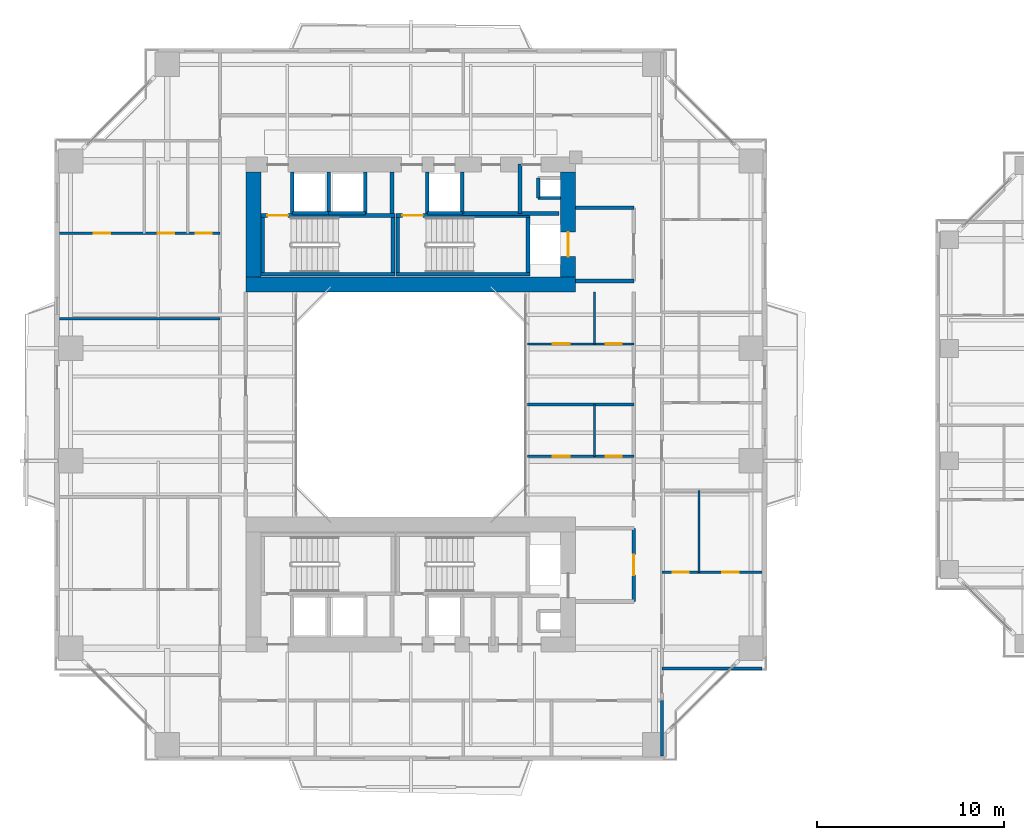
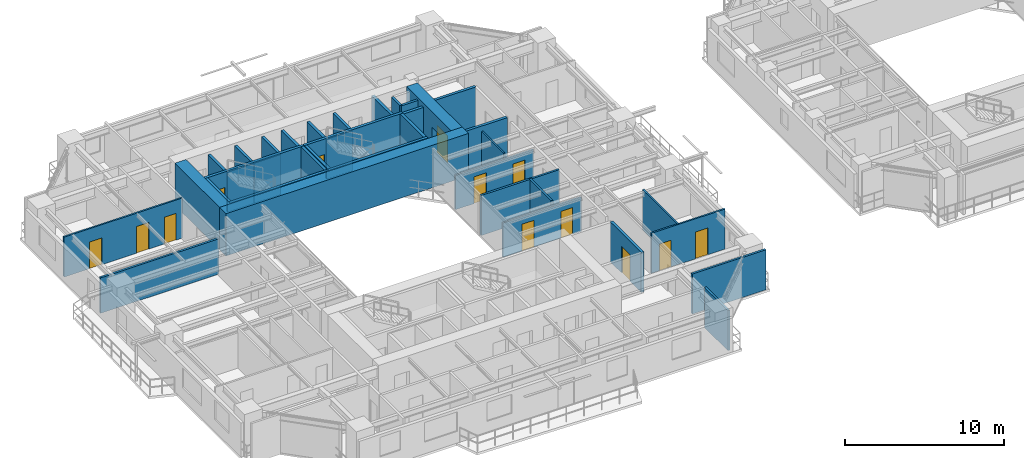
# One storey, part 14 of 24: 38 walls, 13 doors, 13 openings.
"""IFC4 building model written with IfcOpenShell, lengths in metres."""

from ifc_helpers import new_model, si_unit, direction, frame, frame_2d, origin, place, context, subcontext, project, spatial, rectangle, extrude, source, transform, mapped, material, layer, layer_set, type_object, element, fill, save


model = new_model("IFC4")

# Units and contexts
model_context = context("Model", 3, precision=1e-05, world=origin(), true_north=direction((0.0, 1.0)))
body_context = subcontext(model_context, "Body", "Model", "MODEL_VIEW")
ifc_project = project(units=[si_unit("LENGTHUNIT", "METRE"), si_unit("AREAUNIT", "SQUARE_METRE"), si_unit("VOLUMEUNIT", "CUBIC_METRE"), si_unit("PLANEANGLEUNIT", "RADIAN"), si_unit("MASSUNIT", "GRAM", prefix="KILO"), si_unit("THERMODYNAMICTEMPERATUREUNIT", "KELVIN"), si_unit("POWERUNIT", "WATT")], contexts=[model_context])

# Site, building, storey
site_placement = place(None, origin())
site = spatial("IfcSite", under=ifc_project, at=site_placement, CompositionType="ELEMENT")
building_placement = place(site_placement, origin())
building = spatial("IfcBuilding", under=site, at=building_placement, Name="Qiaomeng Ring Towers", CompositionType="ELEMENT")
storey_placement = place(building_placement, frame((0.0, 0.0, 56.75)))
storey = spatial("IfcBuildingStorey", under=building, at=storey_placement, Name="L15", CompositionType="ELEMENT", Elevation=56.75)

# Walls
ifc_material_1 = material(Name="Autoclaved aerated concrete block", Category="concrete")
ifc_layer_1 = layer(ifc_material_1, 0.199951171875, Name="Autoclaved aerated concrete block")
ifc_layer_set_1 = layer_set([ifc_layer_1], Name="Autoclaved aerated concrete block")
wall_type_1 = type_object("IfcWallType", Name="ARC-WL-PW1", PredefinedType="PARTITIONING", material=ifc_layer_set_1)
for number, where, z_axis, x_axis, name in (
    (1, (27.800048828125, 29.60009765625, 0.0), (0.0, 0.0, 1.0), (1.0, 0.0, 0.0), "L15 Interior Wall PW1"),
    (2, (27.800048828125, 33.5, 0.0), (0.0, 0.0, 1.0), (1.0, 0.0, 0.0), "L15 Interior Wall PW1"),
):
    element("IfcWall", number, at=place(storey_placement, frame(where, z_axis=z_axis, x_axis=x_axis)), inside=storey, type_object=wall_type_1, Name=name, PredefinedType="PARTITIONING", context=body_context, shape_type="SweptSolid", body=[
        extrude(rectangle(XDim=3.099853515625, YDim=0.199951171875, at=frame_2d((1.5498046875, 0.0))), origin(), (0.0, 0.0, 1.0), 3.070068359375),
    ])

# Wall, opening, door
wall_1_placement = place(storey_placement, frame((30.89990234375, 12.5, 0.0), z_axis=(0.0, 0.0, 1.0), x_axis=(0.0, 1.0, 0.0)))
wall_1 = element("IfcWall", 3, at=wall_1_placement, inside=storey, type_object=wall_type_1, Name="L15 Interior Wall PW1", PredefinedType="PARTITIONING", context=body_context, shape_type="SweptSolid", body=[
    extrude(rectangle(XDim=3.89990234375, YDim=0.199951171875, at=frame_2d((1.949951171875, 0.0))), origin(), (0.0, 0.0, 1.0), 3.070068359375),
])
opening_1_placement = place(wall_1_placement, frame((1.39990234375, 0.0, 0.0)))
opening_1 = element("IfcOpeningElement", 4, at=opening_1_placement, cuts=wall_1, Name="Opening FD3", PredefinedType="OPENING", context=body_context, shape_type="SweptSolid", body=[
    extrude(rectangle(XDim=1.10009765625, YDim=2.050048828125, at=frame_2d((0.550048828125, 1.02490234375))), frame((0.0, 0.10986328125, 0.0), z_axis=(0.0, -1.0, 0.0), x_axis=(1.0, 0.0, 0.0)), (0.0, 0.0, 1.0), 0.219970703125),
])
ifc_material_2 = material(Name="Galvanised steel", Category="steel")
door_type_1 = type_object("IfcDoorType", Name="ARC-DR-FD3", OperationType="NOTDEFINED", PredefinedType="DOOR", material=ifc_material_2)
shared_shape_1 = source(origin(), body_context, "Body", "SweptSolid", [
    extrude(rectangle(XDim=1.10009765625, YDim=2.050048828125, at=frame_2d((0.550048828125, 1.02490234375))), frame((0.0, 0.02490234375, 0.0), z_axis=(0.0, -1.0, 0.0), x_axis=(1.0, 0.0, 0.0)), (0.0, 0.0, 1.0), 0.050048828125),
])
door_1_placement = place(opening_1_placement, origin())
door_1 = element("IfcDoor", 5, at=door_1_placement, inside=storey, type_object=door_type_1, Name="L15 South FF Lobby Door", OperationType="SINGLE_SWING_RIGHT", OverallHeight=2.050048828125, OverallWidth=1.10009765625, PredefinedType="DOOR", context=body_context, shape_type="MappedRepresentation", body=[
    mapped(shared_shape_1, transform((0.0, 0.0, 0.0), x_axis=(1.0, 0.0, 0.0), y_axis=(0.0, 1.0, 0.0), z_axis=(0.0, 0.0, 1.0), scale=1.0)),
])
fill(opening_1, door_1)

# Walls
for number, where, z_axis, x_axis, name in (
    (6, (12.679931640625, 33.18994140625, 0.0), (0.0, 0.0, 1.0), (0.0, 1.0, 0.0), "L15 Interior Wall PW1"),
    (7, (18.0, 33.18994140625, 0.0), (0.0, 0.0, 1.0), (0.0, 1.0, 0.0), "L15 Interior Wall PW1"),
    (8, (19.8798828125, 33.18994140625, 0.0), (0.0, 0.0, 1.0), (0.0, 1.0, 0.0), "L15 Interior Wall PW1"),
):
    element("IfcWall", number, at=place(storey_placement, frame(where, z_axis=z_axis, x_axis=x_axis)), inside=storey, type_object=wall_type_1, Name=name, PredefinedType="PARTITIONING", context=body_context, shape_type="SweptSolid", body=[
        extrude(rectangle(XDim=2.2099609375, YDim=0.199951171875, at=frame_2d((1.10498046875, 0.0))), origin(), (0.0, 0.0, 1.0), 3.070068359375),
    ])
wall_2_placement = place(storey_placement, frame((24.820068359375, 33.199951171875, 0.0), z_axis=(0.0, 0.0, 1.0), x_axis=(0.0, 1.0, 0.0)))
element("IfcWall", 9, at=wall_2_placement, inside=storey, type_object=wall_type_1, Name="L15 Interior Wall PW1", PredefinedType="PARTITIONING", context=body_context, shape_type="SweptSolid", body=[
    extrude(rectangle(XDim=2.650146484375, YDim=0.199951171875, at=frame_2d((1.3251953125, 0.0))), origin(), (0.0, 0.0, 1.0), 3.070068359375),
])
wall_3_placement = place(storey_placement, frame((21.75, 33.199951171875, 0.0), z_axis=(0.0, 0.0, 1.0), x_axis=(0.0, 1.0, 0.0)))
element("IfcWall", 10, at=wall_3_placement, inside=storey, type_object=wall_type_1, Name="L15 Interior Wall PW1", PredefinedType="PARTITIONING", context=body_context, shape_type="SweptSolid", body=[
    extrude(rectangle(XDim=2.199951171875, YDim=0.199951171875, at=frame_2d((1.10009765625, 0.0))), origin(), (0.0, 0.0, 1.0), 3.070068359375),
])
wall_4_placement = place(storey_placement, frame((21.75, 33.199951171875, 0.0), z_axis=(0.0, 0.0, 1.0), x_axis=(1.0, 0.0, 0.0)))
element("IfcWall", 11, at=wall_4_placement, inside=storey, type_object=wall_type_1, Name="L15 Interior Wall PW1", PredefinedType="PARTITIONING", context=body_context, shape_type="SweptSolid", body=[
    extrude(rectangle(XDim=5.169921875, YDim=0.199951171875, at=frame_2d((2.5849609375, 0.0))), origin(), (0.0, 0.0, 1.0), 3.070068359375),
])
ifc_material_3 = material(Name="Gypsum fireboard steel-stud partition", Category="steel")
ifc_layer_2 = layer(ifc_material_3, 0.14990234375, Name="Gypsum fireboard steel-stud partition")
ifc_layer_set_2 = layer_set([ifc_layer_2], Name="Gypsum fireboard steel-stud partition")
wall_type_2 = type_object("IfcWallType", Name="ARC-WL-PW3", PredefinedType="PARTITIONING", material=ifc_layer_set_2)
wall_5_placement = place(storey_placement, frame((32.39990234375, 4.25, 0.0), z_axis=(0.0, 0.0, 1.0), x_axis=(0.0, 1.0, 0.0)))
element("IfcWall", 12, at=wall_5_placement, inside=storey, type_object=wall_type_2, Name="L15 Interior Wall PW3", PredefinedType="PARTITIONING", context=body_context, shape_type="SweptSolid", body=[
    extrude(rectangle(XDim=2.9599609375, YDim=0.14990234375, at=frame_2d((1.47998046875, 0.0))), origin(), (0.0, 0.0, 1.0), 3.070068359375),
])
wall_6_placement = place(storey_placement, frame((0.25, 27.580078125, 0.0), z_axis=(0.0, 0.0, 1.0), x_axis=(1.0, 0.0, 0.0)))
element("IfcWall", 13, at=wall_6_placement, inside=storey, type_object=wall_type_2, Name="L15 Interior Wall PW3", PredefinedType="PARTITIONING", context=body_context, shape_type="SweptSolid", body=[
    extrude(rectangle(XDim=8.570068359375, YDim=0.14990234375, at=frame_2d((4.28515625, 0.0))), origin(), (0.0, 0.0, 1.0), 2.715087890625),
])
wall_7_placement = place(storey_placement, frame((32.39990234375, 8.919921875, 0.0), z_axis=(0.0, 0.0, 1.0), x_axis=(1.0, 0.0, 0.0)))
element("IfcWall", 14, at=wall_7_placement, inside=storey, type_object=wall_type_2, Name="L15 Interior Wall PW3", PredefinedType="PARTITIONING", context=body_context, shape_type="SweptSolid", body=[
    extrude(rectangle(XDim=5.35009765625, YDim=0.14990234375, at=frame_2d((2.675048828125, 0.0))), origin(), (0.0, 0.0, 1.0), 3.070068359375),
])
wall_8_placement = place(storey_placement, frame((25.219970703125, 23.0, 0.0), z_axis=(0.0, 0.0, 1.0), x_axis=(1.0, 0.0, 0.0)))
element("IfcWall", 15, at=wall_8_placement, inside=storey, type_object=wall_type_2, Name="L15 Interior Wall PW3", PredefinedType="PARTITIONING", context=body_context, shape_type="SweptSolid", body=[
    extrude(rectangle(XDim=5.679931640625, YDim=0.14990234375, at=frame_2d((2.83984375, 0.0))), origin(), (0.0, 0.0, 1.0), 3.070068359375),
])

# Wall, openings, doors
ifc_material_4 = material(Name="Moisture-resistant gypsum steel-stud partition", Category="steel")
ifc_layer_3 = layer(ifc_material_4, 0.1201171875, Name="Moisture-resistant gypsum steel-stud partition")
ifc_layer_set_3 = layer_set([ifc_layer_3], Name="Moisture-resistant gypsum steel-stud partition")
wall_type_3 = type_object("IfcWallType", Name="ARC-WL-PW4", PredefinedType="PLUMBINGWALL", material=ifc_layer_set_3)
wall_9_placement = place(storey_placement, frame((0.25, 32.139892578125, 0.0), z_axis=(0.0, 0.0, 1.0), x_axis=(1.0, 0.0, 0.0)))
wall_9 = element("IfcWall", 16, at=wall_9_placement, inside=storey, type_object=wall_type_3, Name="L15 Interior Wall PW4", PredefinedType="PLUMBINGWALL", context=body_context, shape_type="SweptSolid", body=[
    extrude(rectangle(XDim=8.570068359375, YDim=0.1201171875, at=frame_2d((4.28515625, 0.0))), origin(), (0.0, 0.0, 1.0), 3.070068359375),
])
opening_2_placement = place(wall_9_placement, frame((1.824951171875, 0.0, 0.0)))
opening_2 = element("IfcOpeningElement", 17, at=opening_2_placement, cuts=wall_9, Name="Opening ID1", PredefinedType="OPENING", context=body_context, shape_type="SweptSolid", body=[
    extrude(rectangle(XDim=0.89990234375, YDim=2.050048828125, at=frame_2d((0.449951171875, 1.02490234375))), frame((0.0, 0.070068359375, 0.0), z_axis=(0.0, -1.0, 0.0), x_axis=(1.0, 0.0, 0.0)), (0.0, 0.0, 1.0), 0.14013671875),
])
opening_3_placement = place(wall_9_placement, frame((5.239990234375, 0.0, 0.0)))
opening_3 = element("IfcOpeningElement", 18, at=opening_3_placement, cuts=wall_9, Name="Opening ID1", PredefinedType="OPENING", context=body_context, shape_type="SweptSolid", body=[
    extrude(rectangle(XDim=0.89990234375, YDim=2.050048828125, at=frame_2d((0.449951171875, 1.02490234375))), frame((0.0, 0.070068359375, 0.0), z_axis=(0.0, -1.0, 0.0), x_axis=(1.0, 0.0, 0.0)), (0.0, 0.0, 1.0), 0.14013671875),
])
opening_4_placement = place(wall_9_placement, frame((7.27490234375, 0.0, 0.0)))
opening_4 = element("IfcOpeningElement", 19, at=opening_4_placement, cuts=wall_9, Name="Opening ID2", PredefinedType="OPENING", context=body_context, shape_type="SweptSolid", body=[
    extrude(rectangle(XDim=0.85009765625, YDim=2.050048828125, at=frame_2d((0.425048828125, 1.02490234375))), frame((0.0, 0.070068359375, 0.0), z_axis=(0.0, -1.0, 0.0), x_axis=(1.0, 0.0, 0.0)), (0.0, 0.0, 1.0), 0.14013671875),
])
ifc_material_5 = material(Name="Moisture-resistant engineered timber", Category="wood")
door_type_2 = type_object("IfcDoorType", Name="ARC-DR-ID2", OperationType="NOTDEFINED", PredefinedType="DOOR", material=ifc_material_5)
shared_shape_2 = source(origin(), body_context, "Body", "SweptSolid", [
    extrude(rectangle(XDim=0.85009765625, YDim=2.050048828125, at=frame_2d((0.425048828125, 1.02490234375))), frame((0.0, 0.02490234375, 0.0), z_axis=(0.0, -1.0, 0.0), x_axis=(1.0, 0.0, 0.0)), (0.0, 0.0, 1.0), 0.050048828125),
])
door_2_placement = place(opening_4_placement, origin())
door_2 = element("IfcDoor", 20, at=door_2_placement, inside=storey, type_object=door_type_2, Name="L15 Door ID2", OperationType="SINGLE_SWING_LEFT", OverallHeight=2.050048828125, OverallWidth=0.85009765625, PredefinedType="DOOR", context=body_context, shape_type="MappedRepresentation", body=[
    mapped(shared_shape_2, transform((0.0, 0.0, 0.0), x_axis=(1.0, 0.0, 0.0), y_axis=(0.0, 1.0, 0.0), z_axis=(0.0, 0.0, 1.0), scale=1.0)),
])
fill(opening_4, door_2)
ifc_material_6 = material(Name="Engineered oak timber", Category="wood")
door_type_3 = type_object("IfcDoorType", Name="ARC-DR-ID1", OperationType="NOTDEFINED", PredefinedType="DOOR", material=ifc_material_6)
shared_shape_3 = source(origin(), body_context, "Body", "SweptSolid", [
    extrude(rectangle(XDim=0.89990234375, YDim=2.050048828125, at=frame_2d((0.449951171875, 1.02490234375))), frame((0.0, 0.02490234375, 0.0), z_axis=(0.0, -1.0, 0.0), x_axis=(1.0, 0.0, 0.0)), (0.0, 0.0, 1.0), 0.050048828125),
])
door_3_placement = place(opening_2_placement, origin())
door_3 = element("IfcDoor", 21, at=door_3_placement, inside=storey, type_object=door_type_3, Name="L15 Door ID1", OperationType="SINGLE_SWING_LEFT", OverallHeight=2.050048828125, OverallWidth=0.89990234375, PredefinedType="DOOR", context=body_context, shape_type="MappedRepresentation", body=[
    mapped(shared_shape_3, transform((0.0, 0.0, 0.0), x_axis=(1.0, 0.0, 0.0), y_axis=(0.0, 1.0, 0.0), z_axis=(0.0, 0.0, 1.0), scale=1.0)),
])
fill(opening_2, door_3)
door_4_placement = place(opening_3_placement, origin())
door_4 = element("IfcDoor", 22, at=door_4_placement, inside=storey, type_object=door_type_3, Name="L15 Door ID1", OperationType="SINGLE_SWING_RIGHT", OverallHeight=2.050048828125, OverallWidth=0.89990234375, PredefinedType="DOOR", context=body_context, shape_type="MappedRepresentation", body=[
    mapped(shared_shape_3, transform((0.0, 0.0, 0.0), x_axis=(1.0, 0.0, 0.0), y_axis=(0.0, 1.0, 0.0), z_axis=(0.0, 0.0, 1.0), scale=1.0)),
])
fill(opening_3, door_4)

wall_10_placement = place(storey_placement, frame((32.39990234375, 14.050048828125, 0.0), z_axis=(0.0, 0.0, 1.0), x_axis=(1.0, 0.0, 0.0)))
wall_10 = element("IfcWall", 23, at=wall_10_placement, inside=storey, type_object=wall_type_3, Name="L15 Interior Wall PW4", PredefinedType="PLUMBINGWALL", context=body_context, shape_type="SweptSolid", body=[
    extrude(rectangle(XDim=5.35009765625, YDim=0.1201171875, at=frame_2d((2.675048828125, 0.0))), origin(), (0.0, 0.0, 1.0), 3.070068359375),
])
opening_5_placement = place(wall_10_placement, frame((0.574951171875, 0.0, 0.0)))
opening_5 = element("IfcOpeningElement", 24, at=opening_5_placement, cuts=wall_10, Name="Opening ID2", PredefinedType="OPENING", context=body_context, shape_type="SweptSolid", body=[
    extrude(rectangle(XDim=0.85009765625, YDim=2.050048828125, at=frame_2d((0.425048828125, 1.02490234375))), frame((0.0, 0.070068359375, 0.0), z_axis=(0.0, -1.0, 0.0), x_axis=(1.0, 0.0, 0.0)), (0.0, 0.0, 1.0), 0.14013671875),
])
opening_6_placement = place(wall_10_placement, frame((3.205078125, 0.0, 0.0)))
opening_6 = element("IfcOpeningElement", 25, at=opening_6_placement, cuts=wall_10, Name="Opening ID1", PredefinedType="OPENING", context=body_context, shape_type="SweptSolid", body=[
    extrude(rectangle(XDim=0.89990234375, YDim=2.050048828125, at=frame_2d((0.449951171875, 1.02490234375))), frame((0.0, 0.070068359375, 0.0), z_axis=(0.0, -1.0, 0.0), x_axis=(1.0, 0.0, 0.0)), (0.0, 0.0, 1.0), 0.14013671875),
])
door_5_placement = place(opening_5_placement, origin())
door_5 = element("IfcDoor", 26, at=door_5_placement, inside=storey, type_object=door_type_2, Name="L15 Door ID2", OperationType="SINGLE_SWING_LEFT", OverallHeight=2.050048828125, OverallWidth=0.85009765625, PredefinedType="DOOR", context=body_context, shape_type="MappedRepresentation", body=[
    mapped(shared_shape_2, transform((0.0, 0.0, 0.0), x_axis=(1.0, 0.0, 0.0), y_axis=(0.0, 1.0, 0.0), z_axis=(0.0, 0.0, 1.0), scale=1.0)),
])
fill(opening_5, door_5)
door_6_placement = place(opening_6_placement, origin())
door_6 = element("IfcDoor", 27, at=door_6_placement, inside=storey, type_object=door_type_3, Name="L15 Door ID1", OperationType="SINGLE_SWING_RIGHT", OverallHeight=2.050048828125, OverallWidth=0.89990234375, PredefinedType="DOOR", context=body_context, shape_type="MappedRepresentation", body=[
    mapped(shared_shape_3, transform((0.0, 0.0, 0.0), x_axis=(1.0, 0.0, 0.0), y_axis=(0.0, 1.0, 0.0), z_axis=(0.0, 0.0, 1.0), scale=1.0)),
])
fill(opening_6, door_6)

# Wall
wall_11_placement = place(storey_placement, frame((34.3798828125, 14.050048828125, 0.0), z_axis=(0.0, 0.0, 1.0), x_axis=(0.0, 1.0, 0.0)))
element("IfcWall", 28, at=wall_11_placement, inside=storey, type_object=wall_type_3, Name="L15 Interior Wall PW4", PredefinedType="PLUMBINGWALL", context=body_context, shape_type="SweptSolid", body=[
    extrude(rectangle(XDim=4.369873046875, YDim=0.1201171875, at=frame_2d((2.18505859375, 0.0))), origin(), (0.0, 0.0, 1.0), 3.070068359375),
])

# Wall, openings, doors
wall_12_placement = place(storey_placement, frame((25.219970703125, 20.239990234375, 0.0), z_axis=(0.0, 0.0, 1.0), x_axis=(1.0, 0.0, 0.0)))
wall_12 = element("IfcWall", 29, at=wall_12_placement, inside=storey, type_object=wall_type_3, Name="L15 Interior Wall PW4", PredefinedType="PLUMBINGWALL", context=body_context, shape_type="SweptSolid", body=[
    extrude(rectangle(XDim=5.679931640625, YDim=0.1201171875, at=frame_2d((2.83984375, 0.0))), origin(), (0.0, 0.0, 1.0), 2.625),
])
opening_7_placement = place(wall_12_placement, frame((1.35009765625, 0.0, 0.0)))
opening_7 = element("IfcOpeningElement", 30, at=opening_7_placement, cuts=wall_12, Name="Opening ID1", PredefinedType="OPENING", context=body_context, shape_type="SweptSolid", body=[
    extrude(rectangle(XDim=0.89990234375, YDim=2.050048828125, at=frame_2d((0.449951171875, 1.02490234375))), frame((0.0, 0.070068359375, 0.0), z_axis=(0.0, -1.0, 0.0), x_axis=(1.0, 0.0, 0.0)), (0.0, 0.0, 1.0), 0.14013671875),
])
opening_8_placement = place(wall_12_placement, frame((4.195068359375, 0.0, 0.0)))
opening_8 = element("IfcOpeningElement", 31, at=opening_8_placement, cuts=wall_12, Name="Opening ID2", PredefinedType="OPENING", context=body_context, shape_type="SweptSolid", body=[
    extrude(rectangle(XDim=0.85009765625, YDim=2.050048828125, at=frame_2d((0.425048828125, 1.02490234375))), frame((0.0, 0.070068359375, 0.0), z_axis=(0.0, -1.0, 0.0), x_axis=(1.0, 0.0, 0.0)), (0.0, 0.0, 1.0), 0.14013671875),
])
door_7_placement = place(opening_8_placement, origin())
door_7 = element("IfcDoor", 32, at=door_7_placement, inside=storey, type_object=door_type_2, Name="L15 Door ID2", OperationType="SINGLE_SWING_LEFT", OverallHeight=2.050048828125, OverallWidth=0.85009765625, PredefinedType="DOOR", context=body_context, shape_type="MappedRepresentation", body=[
    mapped(shared_shape_2, transform((0.0, 0.0, 0.0), x_axis=(1.0, 0.0, 0.0), y_axis=(0.0, 1.0, 0.0), z_axis=(0.0, 0.0, 1.0), scale=1.0)),
])
fill(opening_8, door_7)
door_8_placement = place(opening_7_placement, origin())
door_8 = element("IfcDoor", 33, at=door_8_placement, inside=storey, type_object=door_type_3, Name="L15 Door ID1", OperationType="SINGLE_SWING_RIGHT", OverallHeight=2.050048828125, OverallWidth=0.89990234375, PredefinedType="DOOR", context=body_context, shape_type="MappedRepresentation", body=[
    mapped(shared_shape_3, transform((0.0, 0.0, 0.0), x_axis=(1.0, 0.0, 0.0), y_axis=(0.0, 1.0, 0.0), z_axis=(0.0, 0.0, 1.0), scale=1.0)),
])
fill(opening_7, door_8)

# Wall
wall_13_placement = place(storey_placement, frame((28.800048828125, 20.239990234375, 0.0), z_axis=(0.0, 0.0, 1.0), x_axis=(0.0, 1.0, 0.0)))
element("IfcWall", 34, at=wall_13_placement, inside=storey, type_object=wall_type_3, Name="L15 Interior Wall PW4", PredefinedType="PLUMBINGWALL", context=body_context, shape_type="SweptSolid", body=[
    extrude(rectangle(XDim=2.760009765625, YDim=0.1201171875, at=frame_2d((1.3798828125, 0.0))), origin(), (0.0, 0.0, 1.0), 3.070068359375),
])

# Wall, openings, doors
wall_14_placement = place(storey_placement, frame((25.219970703125, 26.239990234375, 0.0), z_axis=(0.0, 0.0, 1.0), x_axis=(1.0, 0.0, 0.0)))
wall_14 = element("IfcWall", 35, at=wall_14_placement, inside=storey, type_object=wall_type_3, Name="L15 Interior Wall PW4", PredefinedType="PLUMBINGWALL", context=body_context, shape_type="SweptSolid", body=[
    extrude(rectangle(XDim=5.679931640625, YDim=0.1201171875, at=frame_2d((2.83984375, 0.0))), origin(), (0.0, 0.0, 1.0), 2.625),
])
opening_9_placement = place(wall_14_placement, frame((1.35009765625, 0.0, 0.0)))
opening_9 = element("IfcOpeningElement", 36, at=opening_9_placement, cuts=wall_14, Name="Opening ID1", PredefinedType="OPENING", context=body_context, shape_type="SweptSolid", body=[
    extrude(rectangle(XDim=0.89990234375, YDim=2.050048828125, at=frame_2d((0.449951171875, 1.02490234375))), frame((0.0, 0.070068359375, 0.0), z_axis=(0.0, -1.0, 0.0), x_axis=(1.0, 0.0, 0.0)), (0.0, 0.0, 1.0), 0.14013671875),
])
opening_10_placement = place(wall_14_placement, frame((4.195068359375, 0.0, 0.0)))
opening_10 = element("IfcOpeningElement", 37, at=opening_10_placement, cuts=wall_14, Name="Opening ID2", PredefinedType="OPENING", context=body_context, shape_type="SweptSolid", body=[
    extrude(rectangle(XDim=0.85009765625, YDim=2.050048828125, at=frame_2d((0.425048828125, 1.02490234375))), frame((0.0, 0.070068359375, 0.0), z_axis=(0.0, -1.0, 0.0), x_axis=(1.0, 0.0, 0.0)), (0.0, 0.0, 1.0), 0.14013671875),
])
door_9_placement = place(opening_10_placement, origin())
door_9 = element("IfcDoor", 38, at=door_9_placement, inside=storey, type_object=door_type_2, Name="L15 Door ID2", OperationType="SINGLE_SWING_LEFT", OverallHeight=2.050048828125, OverallWidth=0.85009765625, PredefinedType="DOOR", context=body_context, shape_type="MappedRepresentation", body=[
    mapped(shared_shape_2, transform((0.0, 0.0, 0.0), x_axis=(1.0, 0.0, 0.0), y_axis=(0.0, 1.0, 0.0), z_axis=(0.0, 0.0, 1.0), scale=1.0)),
])
fill(opening_10, door_9)
door_10_placement = place(opening_9_placement, origin())
door_10 = element("IfcDoor", 39, at=door_10_placement, inside=storey, type_object=door_type_3, Name="L15 Door ID1", OperationType="SINGLE_SWING_RIGHT", OverallHeight=2.050048828125, OverallWidth=0.89990234375, PredefinedType="DOOR", context=body_context, shape_type="MappedRepresentation", body=[
    mapped(shared_shape_3, transform((0.0, 0.0, 0.0), x_axis=(1.0, 0.0, 0.0), y_axis=(0.0, 1.0, 0.0), z_axis=(0.0, 0.0, 1.0), scale=1.0)),
])
fill(opening_9, door_10)

# Walls
wall_15_placement = place(storey_placement, frame((28.800048828125, 26.239990234375, 0.0), z_axis=(0.0, 0.0, 1.0), x_axis=(0.0, 1.0, 0.0)))
element("IfcWall", 40, at=wall_15_placement, inside=storey, type_object=wall_type_3, Name="L15 Interior Wall PW4", PredefinedType="PLUMBINGWALL", context=body_context, shape_type="SweptSolid", body=[
    extrude(rectangle(XDim=2.760009765625, YDim=0.1201171875, at=frame_2d((1.3798828125, 0.0))), origin(), (0.0, 0.0, 1.0), 3.070068359375),
])
ifc_material_7 = material(Name="Concrete C40", Category="concrete")
ifc_layer_4 = layer(ifc_material_7, 0.199951171875, Name="Concrete C40")
ifc_layer_set_4 = layer_set([ifc_layer_4], Name="Concrete C40")
wall_type_4 = type_object("IfcWallType", Name="STR-WL-STSHAFT", PredefinedType="SHEAR", material=ifc_layer_set_4)
wall_16_placement = place(storey_placement, frame((12.679931640625, 33.199951171875, 0.0), z_axis=(0.0, 0.0, 1.0), x_axis=(1.0, 0.0, 0.0)))
element("IfcWall", 41, at=wall_16_placement, inside=storey, type_object=wall_type_4, Name="L15 Lift LP5 Shaft Back Wall", PredefinedType="SHEAR", context=body_context, shape_type="SweptSolid", body=[
    extrude(rectangle(XDim=1.940185546875, YDim=0.179931640625, at=frame_2d((0.97021484375, 0.0))), origin(), (0.0, 0.0, 1.0), 3.070068359375),
])
wall_17_placement = place(storey_placement, frame((14.6201171875, 33.199951171875, 0.0), z_axis=(0.0, 0.0, 1.0), x_axis=(0.0, 1.0, 0.0)))
element("IfcWall", 42, at=wall_17_placement, inside=storey, type_object=wall_type_4, Name="L15 Lift LP5-LP3 Shaft Divider Wall", PredefinedType="SHEAR", context=body_context, shape_type="SweptSolid", body=[
    extrude(rectangle(XDim=2.199951171875, YDim=0.179931640625, at=frame_2d((1.10009765625, 0.0))), origin(), (0.0, 0.0, 1.0), 3.070068359375),
])
wall_18_placement = place(storey_placement, frame((25.800048828125, 34.02001953125, 0.0), z_axis=(0.0, 0.0, 1.0), x_axis=(0.0, 1.0, 0.0)))
element("IfcWall", 43, at=wall_18_placement, inside=storey, type_object=wall_type_4, Name="L15 Riser RSR1 West Shaft Wall N", PredefinedType="SHEAR", context=body_context, shape_type="SweptSolid", body=[
    extrude(rectangle(XDim=1.06005859375, YDim=0.179931640625, at=frame_2d((0.530029296875, 0.0))), origin(), (0.0, 0.0, 1.0), 3.070068359375),
])
wall_19_placement = place(storey_placement, frame((25.800048828125, 34.02001953125, 0.0), z_axis=(0.0, 0.0, 1.0), x_axis=(1.0, 0.0, 0.0)))
element("IfcWall", 44, at=wall_19_placement, inside=storey, type_object=wall_type_4, Name="L15 Riser RSR1 South Shaft Wall N", PredefinedType="SHEAR", context=body_context, shape_type="SweptSolid", body=[
    extrude(rectangle(XDim=1.199951171875, YDim=0.179931640625, at=frame_2d((0.60009765625, 0.0))), origin(), (0.0, 0.0, 1.0), 3.070068359375),
])
wall_20_placement = place(storey_placement, frame((14.6201171875, 33.199951171875, 0.0), z_axis=(0.0, 0.0, 1.0), x_axis=(1.0, 0.0, 0.0)))
element("IfcWall", 45, at=wall_20_placement, inside=storey, type_object=wall_type_4, Name="L15 Lift LP3 Shaft Back Wall", PredefinedType="SHEAR", context=body_context, shape_type="SweptSolid", body=[
    extrude(rectangle(XDim=1.9599609375, YDim=0.179931640625, at=frame_2d((0.97998046875, 0.0))), origin(), (0.0, 0.0, 1.0), 3.070068359375),
])
wall_21_placement = place(storey_placement, frame((16.580078125, 33.199951171875, 0.0), z_axis=(0.0, 0.0, 1.0), x_axis=(0.0, 1.0, 0.0)))
element("IfcWall", 46, at=wall_21_placement, inside=storey, type_object=wall_type_4, Name="L15 Lift LP3 East Shaft Wall", PredefinedType="SHEAR", context=body_context, shape_type="SweptSolid", body=[
    extrude(rectangle(XDim=2.199951171875, YDim=0.179931640625, at=frame_2d((1.10009765625, 0.0))), origin(), (0.0, 0.0, 1.0), 3.070068359375),
])
wall_22_placement = place(storey_placement, frame((19.8798828125, 33.199951171875, 0.0), z_axis=(0.0, 0.0, 1.0), x_axis=(1.0, 0.0, 0.0)))
element("IfcWall", 47, at=wall_22_placement, inside=storey, type_object=wall_type_4, Name="L15 Lift LP1 Shaft Back Wall", PredefinedType="SHEAR", context=body_context, shape_type="SweptSolid", body=[
    extrude(rectangle(XDim=1.8701171875, YDim=0.179931640625, at=frame_2d((0.93505859375, 0.0))), origin(), (0.0, 0.0, 1.0), 3.070068359375),
])
wall_23_placement = place(storey_placement, frame((11.0, 29.949951171875, 0.0), z_axis=(0.0, 0.0, 1.0), x_axis=(1.0, 0.0, 0.0)))
element("IfcWall", 48, at=wall_23_placement, inside=storey, type_object=wall_type_4, Name="L15 Stair ST1 South Shaft Shear Wall", PredefinedType="SHEAR", context=body_context, shape_type="SweptSolid", body=[
    extrude(rectangle(XDim=7.14990234375, YDim=0.199951171875, at=frame_2d((3.574951171875, 0.0))), origin(), (0.0, 0.0, 1.0), 3.25),
])

# Wall, opening, door
wall_24_placement = place(storey_placement, frame((11.0, 33.090087890625, 0.0), z_axis=(0.0, 0.0, 1.0), x_axis=(1.0, 0.0, 0.0)))
wall_24 = element("IfcWall", 49, at=wall_24_placement, inside=storey, type_object=wall_type_4, Name="L15 Stair ST1 North Shaft Shear Wall", PredefinedType="SHEAR", context=body_context, shape_type="SweptSolid", body=[
    extrude(rectangle(XDim=7.14990234375, YDim=0.199951171875, at=frame_2d((3.574951171875, 0.0))), origin(), (0.0, 0.0, 1.0), 3.25),
])
opening_11_placement = place(wall_24_placement, frame((0.35009765625, 0.0, 0.0)))
opening_11 = element("IfcOpeningElement", 50, at=opening_11_placement, cuts=wall_24, Name="Opening FD3", PredefinedType="OPENING", context=body_context, shape_type="SweptSolid", body=[
    extrude(rectangle(XDim=1.10009765625, YDim=2.050048828125, at=frame_2d((0.550048828125, 1.02490234375))), frame((0.0, 0.10986328125, 0.0), z_axis=(0.0, -1.0, 0.0), x_axis=(1.0, 0.0, 0.0)), (0.0, 0.0, 1.0), 0.219970703125),
])
door_11_placement = place(opening_11_placement, origin())
door_11 = element("IfcDoor", 51, at=door_11_placement, inside=storey, type_object=door_type_1, Name="L15 Stair ST1 Exit Door", OperationType="SINGLE_SWING_RIGHT", OverallHeight=2.050048828125, OverallWidth=1.10009765625, PredefinedType="DOOR", context=body_context, shape_type="MappedRepresentation", body=[
    mapped(shared_shape_1, transform((0.0, 0.0, 0.0), x_axis=(1.0, 0.0, 0.0), y_axis=(0.0, 1.0, 0.0), z_axis=(0.0, 0.0, 1.0), scale=1.0)),
])
fill(opening_11, door_11)

# Walls
for number, where, z_axis, x_axis, name in (
    (52, (11.10009765625, 30.050048828125, 0.0), (0.0, 0.0, 1.0), (0.0, 1.0, 0.0), "L15 Stair ST1 West Shaft Shear Wall"),
    (53, (18.050048828125, 30.050048828125, 0.0), (0.0, 0.0, 1.0), (0.0, 1.0, 0.0), "L15 Stair ST1 East Shaft Shear Wall"),
):
    element("IfcWall", number, at=place(storey_placement, frame(where, z_axis=z_axis, x_axis=x_axis)), inside=storey, type_object=wall_type_4, Name=name, PredefinedType="SHEAR", context=body_context, shape_type="SweptSolid", body=[
        extrude(rectangle(XDim=2.93994140625, YDim=0.199951171875, at=frame_2d((1.469970703125, 0.0))), origin(), (0.0, 0.0, 1.0), 3.25),
    ])
wall_25_placement = place(storey_placement, frame((18.199951171875, 29.949951171875, 0.0), z_axis=(0.0, 0.0, 1.0), x_axis=(1.0, 0.0, 0.0)))
element("IfcWall", 54, at=wall_25_placement, inside=storey, type_object=wall_type_4, Name="L15 Stair ST2 South Shaft Shear Wall", PredefinedType="SHEAR", context=body_context, shape_type="SweptSolid", body=[
    extrude(rectangle(XDim=7.150146484375, YDim=0.199951171875, at=frame_2d((3.5751953125, 0.0))), origin(), (0.0, 0.0, 1.0), 3.25),
])

# Wall, opening, door
wall_26_placement = place(storey_placement, frame((18.199951171875, 33.090087890625, 0.0), z_axis=(0.0, 0.0, 1.0), x_axis=(1.0, 0.0, 0.0)))
wall_26 = element("IfcWall", 55, at=wall_26_placement, inside=storey, type_object=wall_type_4, Name="L15 Stair ST2 North Shaft Shear Wall", PredefinedType="SHEAR", context=body_context, shape_type="SweptSolid", body=[
    extrude(rectangle(XDim=7.150146484375, YDim=0.199951171875, at=frame_2d((3.5751953125, 0.0))), origin(), (0.0, 0.0, 1.0), 3.25),
])
opening_12_placement = place(wall_26_placement, frame((0.35009765625, 0.0, 0.0)))
opening_12 = element("IfcOpeningElement", 56, at=opening_12_placement, cuts=wall_26, Name="Opening FD3", PredefinedType="OPENING", context=body_context, shape_type="SweptSolid", body=[
    extrude(rectangle(XDim=1.10009765625, YDim=2.050048828125, at=frame_2d((0.550048828125, 1.02490234375))), frame((0.0, 0.10986328125, 0.0), z_axis=(0.0, -1.0, 0.0), x_axis=(1.0, 0.0, 0.0)), (0.0, 0.0, 1.0), 0.219970703125),
])
door_12_placement = place(opening_12_placement, origin())
door_12 = element("IfcDoor", 57, at=door_12_placement, inside=storey, type_object=door_type_1, Name="L15 Stair ST2 Exit Door", OperationType="SINGLE_SWING_RIGHT", OverallHeight=2.050048828125, OverallWidth=1.10009765625, PredefinedType="DOOR", context=body_context, shape_type="MappedRepresentation", body=[
    mapped(shared_shape_1, transform((0.0, 0.0, 0.0), x_axis=(1.0, 0.0, 0.0), y_axis=(0.0, 1.0, 0.0), z_axis=(0.0, 0.0, 1.0), scale=1.0)),
])
fill(opening_12, door_12)

# Walls
for number, where, z_axis, x_axis, name in (
    (58, (18.300048828125, 30.050048828125, 0.0), (0.0, 0.0, 1.0), (0.0, 1.0, 0.0), "L15 Stair ST2 West Shaft Shear Wall"),
    (59, (25.25, 30.050048828125, 0.0), (0.0, 0.0, 1.0), (0.0, 1.0, 0.0), "L15 Stair ST2 East Shaft Shear Wall"),
):
    element("IfcWall", number, at=place(storey_placement, frame(where, z_axis=z_axis, x_axis=x_axis)), inside=storey, type_object=wall_type_4, Name=name, PredefinedType="SHEAR", context=body_context, shape_type="SweptSolid", body=[
        extrude(rectangle(XDim=2.93994140625, YDim=0.199951171875, at=frame_2d((1.469970703125, 0.0))), origin(), (0.0, 0.0, 1.0), 3.25),
    ])
ifc_material_8 = material(Name="Concrete C60", Category="concrete")
ifc_layer_5 = layer(ifc_material_8, 0.800048828125, Name="Concrete C60")
ifc_layer_set_5 = layer_set([ifc_layer_5], Name="Concrete C60")
wall_type_5 = type_object("IfcWallType", Name="STR-WL-SW1", PredefinedType="SHEAR", material=ifc_layer_set_5)
wall_27_placement = place(storey_placement, frame((10.199951171875, 29.39990234375, 0.0), z_axis=(0.0, 0.0, 1.0), x_axis=(1.0, 0.0, 0.0)))
element("IfcWall", 60, at=wall_27_placement, inside=storey, type_object=wall_type_5, Name="L15 T1NC south core shear wall", PredefinedType="SHEAR", context=body_context, shape_type="SweptSolid", body=[
    extrude(rectangle(XDim=17.60009765625, YDim=0.800048828125, at=frame_2d((8.800048828125, 0.0))), origin(), (0.0, 0.0, 1.0), 3.25),
])
wall_28_placement = place(storey_placement, frame((10.60009765625, 29.800048828125, 0.0), z_axis=(0.0, 0.0, 1.0), x_axis=(0.0, 1.0, 0.0)))
element("IfcWall", 61, at=wall_28_placement, inside=storey, type_object=wall_type_5, Name="L15 T1NC west core shear wall", PredefinedType="SHEAR", context=body_context, shape_type="SweptSolid", body=[
    extrude(rectangle(XDim=5.599853515625, YDim=0.800048828125, at=frame_2d((2.7998046875, 0.0))), origin(), (0.0, 0.0, 1.0), 3.25),
])

# Wall, opening, door
wall_29_placement = place(storey_placement, frame((27.39990234375, 29.800048828125, 0.0), z_axis=(0.0, 0.0, 1.0), x_axis=(0.0, 1.0, 0.0)))
wall_29 = element("IfcWall", 62, at=wall_29_placement, inside=storey, type_object=wall_type_5, Name="L15 T1NC east core shear wall", PredefinedType="SHEAR", context=body_context, shape_type="SweptSolid", body=[
    extrude(rectangle(XDim=5.599853515625, YDim=0.800048828125, at=frame_2d((2.7998046875, 0.0))), origin(), (0.0, 0.0, 1.0), 3.25),
])
opening_13_placement = place(wall_29_placement, frame((1.10009765625, 0.0, 0.0)))
opening_13 = element("IfcOpeningElement", 63, at=opening_13_placement, cuts=wall_29, Name="Opening LD2", PredefinedType="OPENING", context=body_context, shape_type="SweptSolid", body=[
    extrude(rectangle(XDim=1.300048828125, YDim=2.050048828125, at=frame_2d((0.64990234375, 1.02490234375))), frame((0.0, 0.409912109375, 0.0), z_axis=(0.0, -1.0, 0.0), x_axis=(1.0, 0.0, 0.0)), (0.0, 0.0, 1.0), 0.820068359375),
])
ifc_material_9 = material(Name="Stainless steel 316", Category="steel")
door_type_4 = type_object("IfcDoorType", Name="ARC-DR-LD2", OperationType="NOTDEFINED", PredefinedType="DOOR", material=ifc_material_9)
shared_shape_4 = source(origin(), body_context, "Body", "SweptSolid", [
    extrude(rectangle(XDim=1.300048828125, YDim=2.050048828125, at=frame_2d((0.64990234375, 1.02490234375))), frame((0.0, 0.02490234375, 0.0), z_axis=(0.0, -1.0, 0.0), x_axis=(1.0, 0.0, 0.0)), (0.0, 0.0, 1.0), 0.050048828125),
])
door_13_placement = place(opening_13_placement, origin())
door_13 = element("IfcDoor", 64, at=door_13_placement, inside=storey, type_object=door_type_4, Name="L15 Firefighting Lift FL1 Landing Door", OperationType="SLIDING_TO_LEFT", OverallHeight=2.050048828125, OverallWidth=1.300048828125, PredefinedType="DOOR", context=body_context, shape_type="MappedRepresentation", body=[
    mapped(shared_shape_4, transform((0.0, 0.0, 0.0), x_axis=(1.0, 0.0, 0.0), y_axis=(0.0, 1.0, 0.0), z_axis=(0.0, 0.0, 1.0), scale=1.0)),
])
fill(opening_13, door_13)

save(model, "model.ifc")
